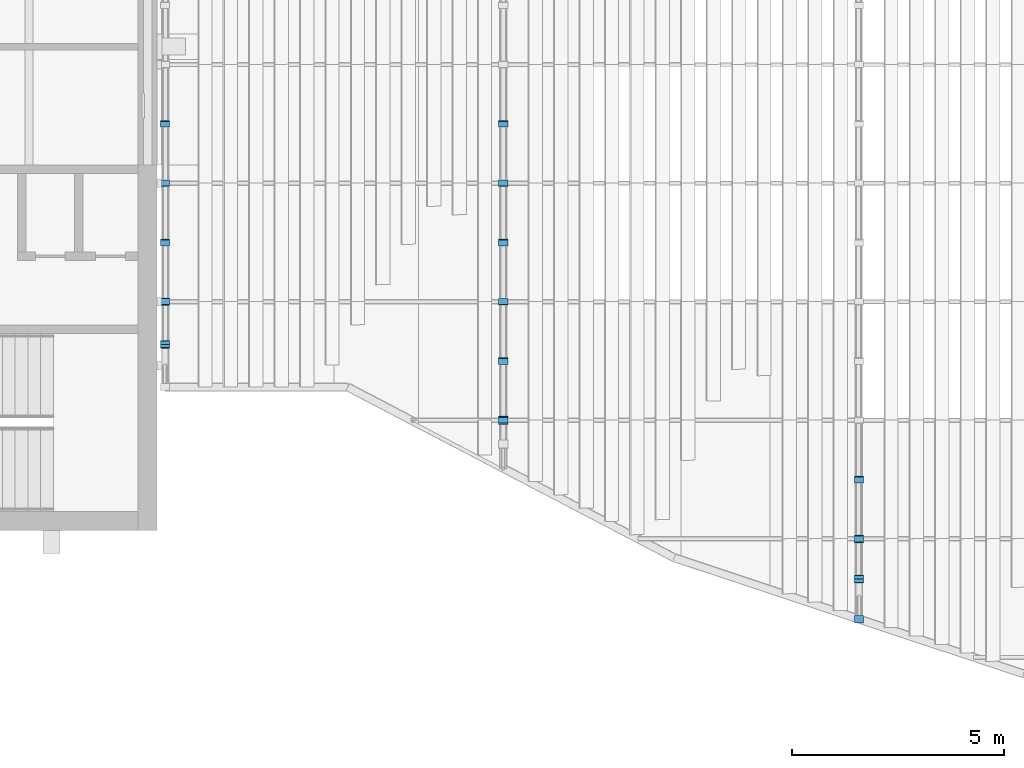
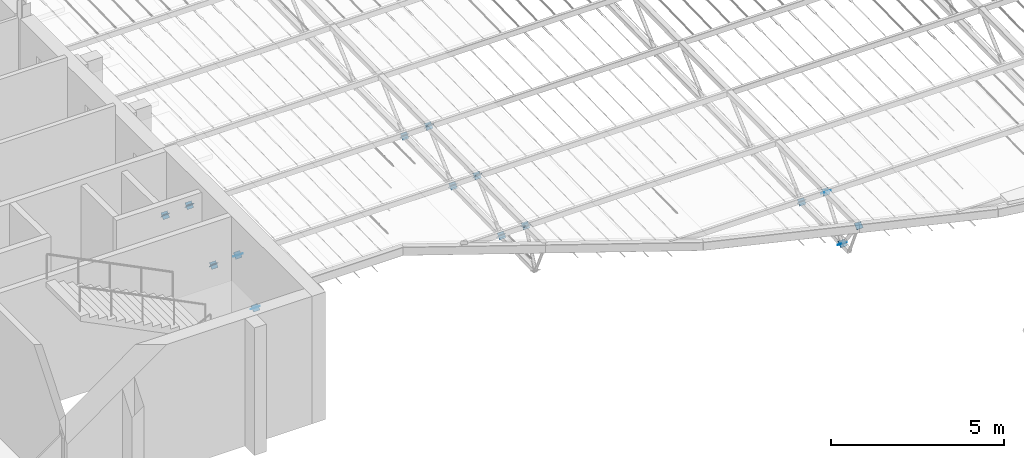
# One storey, part 100 of 129: 29 discrete accessories.
"""IFC4 building model written with IfcOpenShell, lengths in metres."""

from ifc_helpers import new_model, si_unit, direction, frame, origin, origin_2d, place, context, subcontext, project, spatial, rectangle, extrude, material, material_profile, profile_set, type_object, element, save


model = new_model("IFC4")

# Units and contexts
model_context = context("Model", 3, precision=1e-05, world=origin(), true_north=direction((0.0, 1.0)))
body_context = subcontext(model_context, "Body", "Model", "MODEL_VIEW")
ifc_project = project(units=[si_unit("LENGTHUNIT", "METRE"), si_unit("AREAUNIT", "SQUARE_METRE"), si_unit("VOLUMEUNIT", "CUBIC_METRE"), si_unit("PLANEANGLEUNIT", "RADIAN"), si_unit("MASSUNIT", "GRAM", prefix="KILO")], contexts=[model_context])

# Site, building, storey
site_placement = place(None, origin())
site = spatial("IfcSite", under=ifc_project, at=site_placement, CompositionType="ELEMENT")
building_placement = place(site_placement, origin())
building = spatial("IfcBuilding", under=site, at=building_placement, Name="Ardhachandra Cancer Care Centre", CompositionType="ELEMENT")
storey_placement = place(building_placement, frame((0.0, 0.0, 4.5)))
storey = spatial("IfcBuildingStorey", under=building, at=storey_placement, Name="L01", CompositionType="ELEMENT", Elevation=4.5)

# Discrete accessories
ifc_material = material(Name="Steel E250 (IS 2062)", Category="steel")
ifc_material_profile = material_profile(ifc_material, rectangle(XDim=0.21435546875, YDim=0.21435546875, at=origin_2d()), Name="PL 214x214x12")
ifc_profile_set = profile_set([ifc_material_profile], Name="Steel E250 (IS 2062)")
discrete_accessory_type = type_object("IfcDiscreteAccessoryType", Name="Diagonal end plate 214 x 214 x 12", PredefinedType="BRACKET", material=ifc_profile_set)
discrete_accessory_1_placement = place(storey_placement, frame((44.81494140625, 38.77490234375, 1.310546875), z_axis=(0.0, 0.746295434469, 0.665614846958), x_axis=(-1.0, 0.0, 0.0)))
element("IfcDiscreteAccessory", 1, at=discrete_accessory_1_placement, inside=storey, type_object=discrete_accessory_type, Name="Diagonal end plate Canopy truss 1 web diagonal WD28 2", PredefinedType="BRACKET", context=body_context, shape_type="SweptSolid", body=[
    extrude(rectangle(XDim=0.21435546875, YDim=0.21435546875, at=origin_2d()), origin(), (0.0, 0.0, 1.0), 0.01220703125),
])
for number, where, z_axis, x_axis, name in (
    (2, (44.81494140625, 38.77490234375, 1.310546875), (0.0, -0.756363172452, 0.654151932932), (1.0, 0.0, 0.0), "Diagonal end plate Canopy truss 1 web diagonal WD29 1"),
    (3, (44.81494140625, 37.375, 2.517578125), (0.0, 0.756363172452, -0.654151932932), (-1.0, 0.0, 0.0), "Diagonal end plate Canopy truss 1 web diagonal WD29 2"),
    (4, (44.81494140625, 37.375, 2.517578125), (0.0, -0.737154140201, -0.675724628517), (1.0, 0.0, 0.0), "Diagonal end plate Canopy truss 1 web diagonal WD30 1"),
    (5, (44.81494140625, 35.97509765625, 1.25439453125), (0.0, 0.737154140201, 0.675724628517), (-1.0, 0.0, 0.0), "Diagonal end plate Canopy truss 1 web diagonal WD30 2"),
):
    element("IfcDiscreteAccessory", number, at=place(storey_placement, frame(where, z_axis=z_axis, x_axis=x_axis)), inside=storey, type_object=discrete_accessory_type, Name=name, PredefinedType="BRACKET", context=body_context, shape_type="SweptSolid", body=[
        extrude(rectangle(XDim=0.21435546875, YDim=0.21435546875, at=origin_2d()), origin(), (0.0, 0.0, 1.0), 0.011962890625),
    ])
discrete_accessory_2_placement = place(storey_placement, frame((44.81494140625, 35.97509765625, 1.25439453125), z_axis=(0.0, -0.755033118393, 0.655686655446), x_axis=(1.0, 0.0, 0.0)))
element("IfcDiscreteAccessory", 6, at=discrete_accessory_2_placement, inside=storey, type_object=discrete_accessory_type, Name="Diagonal end plate Canopy truss 1 web diagonal WD31 1", PredefinedType="BRACKET", context=body_context, shape_type="SweptSolid", body=[
    extrude(rectangle(XDim=0.21435546875, YDim=0.21435546875, at=origin_2d()), origin(), (0.0, 0.0, 1.0), 0.01220703125),
])
for number, where, z_axis, x_axis, name in (
    (7, (44.81494140625, 34.574951171875, 2.46142578125), (0.0, 0.756363172452, -0.654151932932), (-1.0, 0.0, 0.0), "Diagonal end plate Canopy truss 1 web diagonal WD31 2"),
    (8, (44.81494140625, 34.574951171875, 2.46142578125), (0.0, -0.632126727472, -0.774865020772), (1.0, 0.0, 0.0), "Diagonal end plate Canopy truss 1 web diagonal WD32 1"),
    (9, (44.81494140625, 33.566162109375, 1.206298828125), (0.0, 0.632126727472, 0.774865020772), (-1.0, 0.0, 0.0), "Diagonal end plate Canopy truss 1 web diagonal WD32 2"),
    (10, (44.81494140625, 33.566162109375, 1.206298828125), (0.0, -0.632126727472, 0.774865020772), (1.0, 0.0, 0.0), "Diagonal end plate Canopy truss 1 web diagonal WD33 1"),
):
    element("IfcDiscreteAccessory", number, at=place(storey_placement, frame(where, z_axis=z_axis, x_axis=x_axis)), inside=storey, type_object=discrete_accessory_type, Name=name, PredefinedType="BRACKET", context=body_context, shape_type="SweptSolid", body=[
        extrude(rectangle(XDim=0.21435546875, YDim=0.21435546875, at=origin_2d()), origin(), (0.0, 0.0, 1.0), 0.011962890625),
    ])
discrete_accessory_3_placement = place(storey_placement, frame((52.800048828125, 38.77490234375, 1.310546875), z_axis=(0.0, 0.746295434469, 0.665614846958), x_axis=(-1.0, 0.0, 0.0)))
element("IfcDiscreteAccessory", 11, at=discrete_accessory_3_placement, inside=storey, type_object=discrete_accessory_type, Name="Diagonal end plate Canopy truss 2 web diagonal WD29 2", PredefinedType="BRACKET", context=body_context, shape_type="SweptSolid", body=[
    extrude(rectangle(XDim=0.21435546875, YDim=0.21435546875, at=origin_2d()), origin(), (0.0, 0.0, 1.0), 0.01220703125),
])
for number, where, z_axis, x_axis, name in (
    (12, (52.800048828125, 38.77490234375, 1.310546875), (0.0, -0.756363172452, 0.654151932932), (1.0, 0.0, 0.0), "Diagonal end plate Canopy truss 2 web diagonal WD30 1"),
    (13, (52.800048828125, 37.375, 2.517578125), (0.0, 0.756363172452, -0.654151932932), (-1.0, 0.0, 0.0), "Diagonal end plate Canopy truss 2 web diagonal WD30 2"),
    (14, (52.800048828125, 37.375, 2.517578125), (0.0, -0.737154140201, -0.675724628517), (1.0, 0.0, 0.0), "Diagonal end plate Canopy truss 2 web diagonal WD31 1"),
    (15, (52.800048828125, 35.97509765625, 1.25439453125), (0.0, 0.737154140201, 0.675724628517), (-1.0, 0.0, 0.0), "Diagonal end plate Canopy truss 2 web diagonal WD31 2"),
):
    element("IfcDiscreteAccessory", number, at=place(storey_placement, frame(where, z_axis=z_axis, x_axis=x_axis)), inside=storey, type_object=discrete_accessory_type, Name=name, PredefinedType="BRACKET", context=body_context, shape_type="SweptSolid", body=[
        extrude(rectangle(XDim=0.21435546875, YDim=0.21435546875, at=origin_2d()), origin(), (0.0, 0.0, 1.0), 0.011962890625),
    ])
discrete_accessory_4_placement = place(storey_placement, frame((52.800048828125, 35.97509765625, 1.25439453125), z_axis=(0.0, -0.755033118393, 0.655686655446), x_axis=(1.0, 0.0, 0.0)))
element("IfcDiscreteAccessory", 16, at=discrete_accessory_4_placement, inside=storey, type_object=discrete_accessory_type, Name="Diagonal end plate Canopy truss 2 web diagonal WD32 1", PredefinedType="BRACKET", context=body_context, shape_type="SweptSolid", body=[
    extrude(rectangle(XDim=0.21435546875, YDim=0.21435546875, at=origin_2d()), origin(), (0.0, 0.0, 1.0), 0.01220703125),
])
for number, where, z_axis, x_axis, name in (
    (17, (52.800048828125, 34.574951171875, 2.46142578125), (0.0, 0.756363172452, -0.654151932932), (-1.0, 0.0, 0.0), "Diagonal end plate Canopy truss 2 web diagonal WD32 2"),
    (18, (52.800048828125, 34.574951171875, 2.46142578125), (0.0, -0.737154140201, -0.675724628517), (1.0, 0.0, 0.0), "Diagonal end plate Canopy truss 2 web diagonal WD33 1"),
    (19, (52.800048828125, 33.175048828125, 1.198486328125), (0.0, 0.737154140201, 0.675724628517), (-1.0, 0.0, 0.0), "Diagonal end plate Canopy truss 2 web diagonal WD33 2"),
    (20, (52.800048828125, 33.175048828125, 1.198486328125), (0.0, -0.756363172452, 0.654151932932), (1.0, 0.0, 0.0), "Diagonal end plate Canopy truss 2 web diagonal WD34 1"),
):
    element("IfcDiscreteAccessory", number, at=place(storey_placement, frame(where, z_axis=z_axis, x_axis=x_axis)), inside=storey, type_object=discrete_accessory_type, Name=name, PredefinedType="BRACKET", context=body_context, shape_type="SweptSolid", body=[
        extrude(rectangle(XDim=0.21435546875, YDim=0.21435546875, at=origin_2d()), origin(), (0.0, 0.0, 1.0), 0.011962890625),
    ])
discrete_accessory_5_placement = place(storey_placement, frame((52.800048828125, 31.77490234375, 2.405517578125), z_axis=(0.0, 0.764911198117, -0.644135745783), x_axis=(-1.0, 0.0, 0.0)))
element("IfcDiscreteAccessory", 21, at=discrete_accessory_5_placement, inside=storey, type_object=discrete_accessory_type, Name="Diagonal end plate Canopy truss 2 web diagonal WD34 2", PredefinedType="BRACKET", context=body_context, shape_type="SweptSolid", body=[
    extrude(rectangle(XDim=0.21435546875, YDim=0.21435546875, at=origin_2d()), origin(), (0.0, 0.0, 1.0), 0.01220703125),
])
for number, where, z_axis, x_axis, name in (
    (22, (52.800048828125, 31.77490234375, 2.405517578125), (0.0, -0.406138466053, -0.91381154862), (1.0, 0.0, 0.0), "Diagonal end plate Canopy truss 2 web diagonal WD35 1"),
    (23, (61.199951171875, 30.375, 1.142578125), (0.0, 0.737154140201, 0.675724628517), (-1.0, 0.0, 0.0), "Diagonal end plate Canopy truss 3 web diagonal WD38 2"),
    (24, (61.199951171875, 30.375, 1.142578125), (0.0, -0.756363172452, 0.654151932932), (1.0, 0.0, 0.0), "Diagonal end plate Canopy truss 3 web diagonal WD39 1"),
):
    element("IfcDiscreteAccessory", number, at=place(storey_placement, frame(where, z_axis=z_axis, x_axis=x_axis)), inside=storey, type_object=discrete_accessory_type, Name=name, PredefinedType="BRACKET", context=body_context, shape_type="SweptSolid", body=[
        extrude(rectangle(XDim=0.21435546875, YDim=0.21435546875, at=origin_2d()), origin(), (0.0, 0.0, 1.0), 0.011962890625),
    ])
for number, where, z_axis, x_axis, name in (
    (25, (61.199951171875, 28.97509765625, 2.349609375), (0.0, 0.746295434469, -0.665614846958), (-1.0, 0.0, 0.0), "Diagonal end plate Canopy truss 3 web diagonal WD39 2"),
    (26, (61.199951171875, 28.97509765625, 2.349609375), (0.0, -0.6, -0.8), (1.0, 0.0, 0.0), "Diagonal end plate Canopy truss 3 web diagonal WD40 1"),
):
    element("IfcDiscreteAccessory", number, at=place(storey_placement, frame(where, z_axis=z_axis, x_axis=x_axis)), inside=storey, type_object=discrete_accessory_type, Name=name, PredefinedType="BRACKET", context=body_context, shape_type="SweptSolid", body=[
        extrude(rectangle(XDim=0.21435546875, YDim=0.21435546875, at=origin_2d()), origin(), (0.0, 0.0, 1.0), 0.01220703125),
    ])
for number, where, z_axis, x_axis, name in (
    (27, (61.199951171875, 28.025634765625, 1.095458984375), (0.0, 0.60971076085, 0.792623989105), (-1.0, 0.0, 0.0), "Diagonal end plate Canopy truss 3 web diagonal WD40 2"),
    (28, (61.199951171875, 28.025634765625, 1.095458984375), (0.0, -0.60971076085, 0.792623989105), (1.0, 0.0, 0.0), "Diagonal end plate Canopy truss 3 web diagonal WD41 1"),
    (29, (61.199951171875, 27.076171875, 2.3115234375), (0.0, 0.60971076085, -0.792623989105), (-1.0, 0.0, 0.0), "Diagonal end plate Canopy truss 3 web diagonal WD41 2"),
):
    element("IfcDiscreteAccessory", number, at=place(storey_placement, frame(where, z_axis=z_axis, x_axis=x_axis)), inside=storey, type_object=discrete_accessory_type, Name=name, PredefinedType="BRACKET", context=body_context, shape_type="SweptSolid", body=[
        extrude(rectangle(XDim=0.21435546875, YDim=0.21435546875, at=origin_2d()), origin(), (0.0, 0.0, 1.0), 0.011962890625),
    ])

save(model, "model.ifc")
